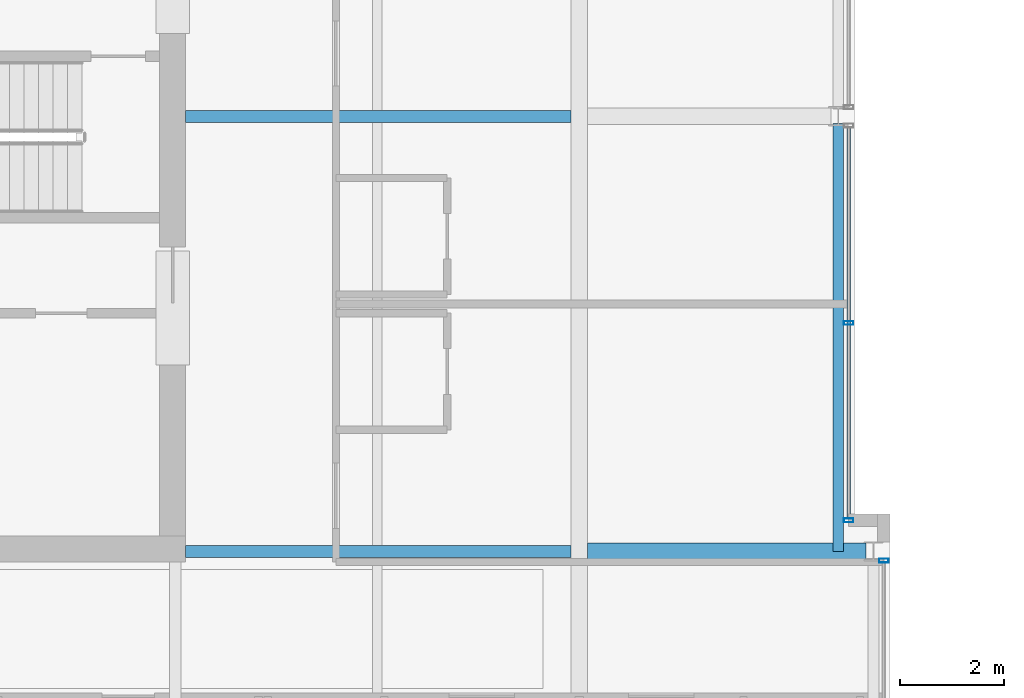
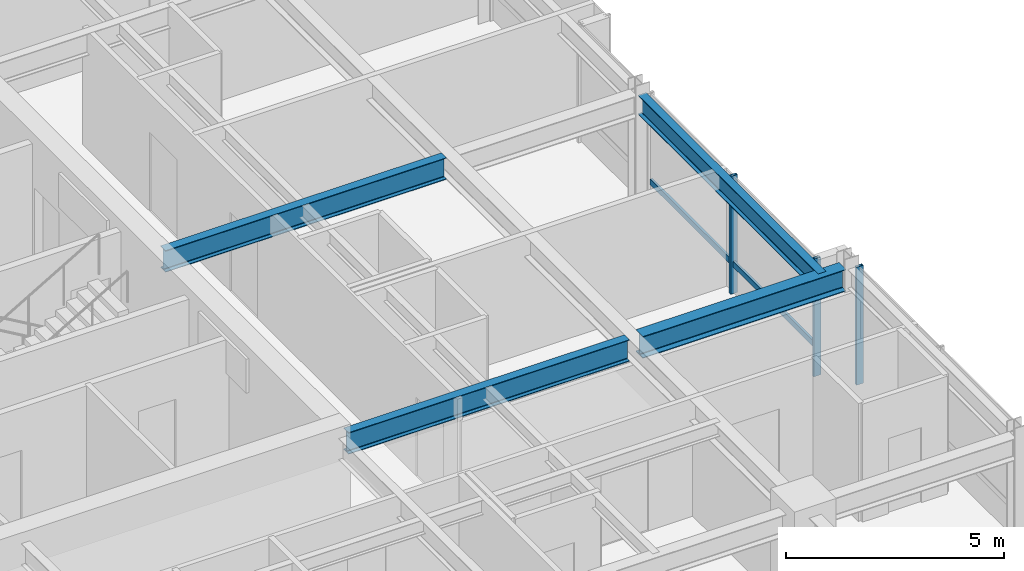
# One storey, part 16 of 34: 4 beams, 4 members, 2 elements without a shape of their own.
"""IFC4 building model written with IfcOpenShell, lengths in metres."""

from ifc_helpers import new_model, si_unit, direction, frame, origin, origin_2d, place, context, subcontext, project, spatial, hollow_rectangle, i_section, extrude, material, layer, layer_set, material_profile, profile_set, type_object, element, aggregate, save


model = new_model("IFC4")

# Units and contexts
model_context = context("Model", 3, precision=1e-05, world=origin(), true_north=direction((0.0, 1.0)))
body_context = subcontext(model_context, "Body", "Model", "MODEL_VIEW")
ifc_project = project(units=[si_unit("LENGTHUNIT", "METRE"), si_unit("AREAUNIT", "SQUARE_METRE"), si_unit("VOLUMEUNIT", "CUBIC_METRE"), si_unit("PLANEANGLEUNIT", "RADIAN"), si_unit("MASSUNIT", "GRAM", prefix="KILO")], contexts=[model_context])

# Site, building, storey
site_placement = place(None, origin())
site = spatial("IfcSite", under=ifc_project, at=site_placement, CompositionType="ELEMENT")
building_placement = place(site_placement, origin())
building = spatial("IfcBuilding", under=site, at=building_placement, Name="Drelvath Grand Hotel", CompositionType="ELEMENT")
storey_placement = place(building_placement, frame((0.0, 0.0, 251.89990234375)))
storey = spatial("IfcBuildingStorey", under=building, at=storey_placement, Name="L66", CompositionType="ELEMENT", Elevation=251.89990234375)

# Curtain wall, members
ifc_material_1 = material(Name="Platinum-Mist Anodised Aluminium Frame", Category="aluminium")
ifc_layer = layer(ifc_material_1, 0.199951171875)
ifc_layer_set = layer_set([ifc_layer], Name="Platinum-Mist Anodised Aluminium Frame")
curtain_wall_type = type_object("IfcCurtainWallType", Name="Stick Curtain Wall CW-05 Platinum Mist High-Rise", PredefinedType="NOTDEFINED", material=ifc_layer_set)
curtain_wall_1_placement = place(storey_placement, origin())
curtain_wall_1 = element("IfcCurtainWall", 1, at=curtain_wall_1_placement, inside=storey, type_object=curtain_wall_type, Name="L66 CW-05 Curtain Wall CW05-L66-EM1", PredefinedType="NOTDEFINED")
ifc_material_profile_1 = material_profile(ifc_material_1, hollow_rectangle(XDim=0.06494140625, YDim=0.159912109375, WallThickness=0.00390625, at=origin_2d()), Name="HSS160X65X4")
ifc_profile_set_1 = profile_set([ifc_material_profile_1], Name="Platinum-Mist Anodised Aluminium Frame")
member_type_1 = type_object("IfcMemberType", Name="Curtain Wall Horizontal Transom CW-05 HSS160X65X4", PredefinedType="USERDEFINED", material=ifc_profile_set_1)
member_1_placement = place(storey_placement, frame((21.39990234375, 26.78173828125, 0.8251953125), z_axis=(0.0, -1.0, 0.0), x_axis=(1.0, 0.0, 0.0)))
member_1 = element("IfcMember", 2, at=member_1_placement, type_object=member_type_1, Name="CW05-L66-EM1 Sill Transom", ObjectType="TRANSOM", PredefinedType="USERDEFINED", context=body_context, shape_type="SweptSolid", body=[
    extrude(hollow_rectangle(XDim=0.06494140625, YDim=0.159912109375, WallThickness=0.00390625, at=origin_2d()), origin(), (0.0, 0.0, 1.0), 7.541748046875),
])
ifc_material_profile_2 = material_profile(ifc_material_1, hollow_rectangle(XDim=0.074951171875, YDim=0.179931640625, WallThickness=0.0048828125, at=origin_2d()), Name="HSS180X75X5")
ifc_profile_set_2 = profile_set([ifc_material_profile_2], Name="Platinum-Mist Anodised Aluminium Frame")
member_type_2 = type_object("IfcMemberType", Name="Curtain Wall Vertical Mullion CW-05 HSS180X75X5", PredefinedType="MULLION", material=ifc_profile_set_2)
member_2_placement = place(storey_placement, frame((21.39990234375, 23.010986328125, 0.0), z_axis=(0.0, 0.0, 1.0), x_axis=(0.0, 1.0, 0.0)))
member_2 = element("IfcMember", 3, at=member_2_placement, type_object=member_type_2, Name="CW05-L66-EM1 Mullion 2", PredefinedType="MULLION", context=body_context, shape_type="SweptSolid", body=[
    extrude(hollow_rectangle(XDim=0.074951171875, YDim=0.179931640625, WallThickness=0.0048828125, at=origin_2d()), origin(), (0.0, 0.0, 1.0), 3.300048828125),
])
member_3_placement = place(storey_placement, frame((21.39990234375, 19.199951171875, 0.0), z_axis=(0.0, 0.0, 1.0), x_axis=(0.0, 1.0, 0.0)))
member_3 = element("IfcMember", 4, at=member_3_placement, type_object=member_type_2, Name="CW05-L66-EM1 Mullion 3", PredefinedType="MULLION", context=body_context, shape_type="SweptSolid", body=[
    extrude(hollow_rectangle(XDim=0.074951171875, YDim=0.179931640625, WallThickness=0.0048828125, at=origin_2d()), origin(), (0.0, 0.0, 1.0), 3.300048828125),
])
aggregate(curtain_wall_1, [member_2, member_3, member_1])

# Curtain wall, member
curtain_wall_2_placement = place(storey_placement, origin())
curtain_wall_2 = element("IfcCurtainWall", 5, at=curtain_wall_2_placement, inside=storey, type_object=curtain_wall_type, Name="L66 CW-05 Curtain Wall CW05-L66-ES2", PredefinedType="NOTDEFINED")
member_4_placement = place(storey_placement, frame((22.080078125, 18.421875, 0.0), z_axis=(0.0, 0.0, 1.0), x_axis=(0.0, 1.0, 0.0)))
member_4 = element("IfcMember", 6, at=member_4_placement, type_object=member_type_2, Name="CW05-L66-ES2 Mullion 1", PredefinedType="MULLION", context=body_context, shape_type="SweptSolid", body=[
    extrude(hollow_rectangle(XDim=0.074951171875, YDim=0.179931640625, WallThickness=0.0048828125, at=origin_2d()), origin(), (0.0, 0.0, 1.0), 3.300048828125),
])
aggregate(curtain_wall_2, [member_4])

# Beams
ifc_material_2 = material(Name="Steel ASTM A992 Gr 50", Category="steel")
ifc_material_profile_3 = material_profile(ifc_material_2, i_section(OverallWidth=0.210205078125, OverallDepth=0.53662109375, WebThickness=0.010986328125, FlangeThickness=0.017333984375, FilletRadius=0.01806640625, at=origin_2d()), Name="W21X68")
ifc_profile_set_3 = profile_set([ifc_material_profile_3], Name="Steel ASTM A992 Gr 50")
beam_type_1 = type_object("IfcBeamType", Name="Perimeter Spandrel Beam W21X68", PredefinedType="SPANDREL", material=ifc_profile_set_3)
beam_1_placement = place(storey_placement, frame((21.199951171875, 18.60009765625, 3.03173828125), z_axis=(0.0, 1.0, 0.0), x_axis=(-1.0, 0.0, 0.0)))
element("IfcBeam", 7, at=beam_1_placement, inside=storey, type_object=beam_type_1, Name="L66 Spandrel East Mid S", PredefinedType="SPANDREL", context=body_context, shape_type="SweptSolid", body=[
    extrude(i_section(OverallWidth=0.210205078125, OverallDepth=0.53662109375, WebThickness=0.010986328125, FlangeThickness=0.017333984375, FilletRadius=0.01806640625, at=origin_2d()), origin(), (0.0, 0.0, 1.0), 8.260009765625),
])
ifc_material_profile_4 = material_profile(ifc_material_2, i_section(OverallWidth=0.323974609375, OverallDepth=0.611083984375, WebThickness=0.0126953125, FlangeThickness=0.01904296875, FilletRadius=0.02197265625, at=origin_2d()), Name="W24X104")
ifc_profile_set_4 = profile_set([ifc_material_profile_4], Name="Steel ASTM A992 Gr 50")
beam_type_2 = type_object("IfcBeamType", Name="Primary Floor Girder W24X104", PredefinedType="BEAM", material=ifc_profile_set_4)
beam_2_placement = place(storey_placement, frame((16.362060546875, 18.60009765625, 2.994384765625), z_axis=(1.0, 0.0, 0.0), x_axis=(0.0, 1.0, 0.0)))
element("IfcBeam", 8, at=beam_2_placement, inside=storey, type_object=beam_type_2, Name="L66 East Wing Girder D", PredefinedType="BEAM", context=body_context, shape_type="SweptSolid", body=[
    extrude(i_section(OverallWidth=0.323974609375, OverallDepth=0.611083984375, WebThickness=0.0126953125, FlangeThickness=0.01904296875, FilletRadius=0.02197265625, at=origin_2d()), origin(), (0.0, 0.0, 1.0), 5.3779296875),
])
ifc_material_profile_5 = material_profile(ifc_material_2, i_section(OverallWidth=0.228271484375, OverallDepth=0.607666015625, WebThickness=0.01123046875, FlangeThickness=0.017333984375, FilletRadius=0.02001953125, at=origin_2d()), Name="W24X76")
ifc_profile_set_5 = profile_set([ifc_material_profile_5], Name="Steel ASTM A992 Gr 50")
beam_type_3 = type_object("IfcBeamType", Name="Primary Floor Girder W24X76", PredefinedType="BEAM", material=ifc_profile_set_5)
for number, where, z_axis, x_axis, name in (
    (9, (8.60009765625, 18.60009765625, 2.996337890625), (1.0, 0.0, 0.0), (0.0, 1.0, 0.0), "L66 East Core Tie D"),
    (10, (8.60009765625, 27.0, 2.996337890625), (1.0, 0.0, 0.0), (0.0, 1.0, 0.0), "L66 East Core Tie E"),
):
    element("IfcBeam", number, at=place(storey_placement, frame(where, z_axis=z_axis, x_axis=x_axis)), inside=storey, type_object=beam_type_3, Name=name, PredefinedType="BEAM", context=body_context, shape_type="SweptSolid", body=[
        extrude(i_section(OverallWidth=0.228271484375, OverallDepth=0.607666015625, WebThickness=0.01123046875, FlangeThickness=0.017333984375, FilletRadius=0.02001953125, at=origin_2d()), origin(), (0.0, 0.0, 1.0), 7.43798828125),
    ])

save(model, "model.ifc")
